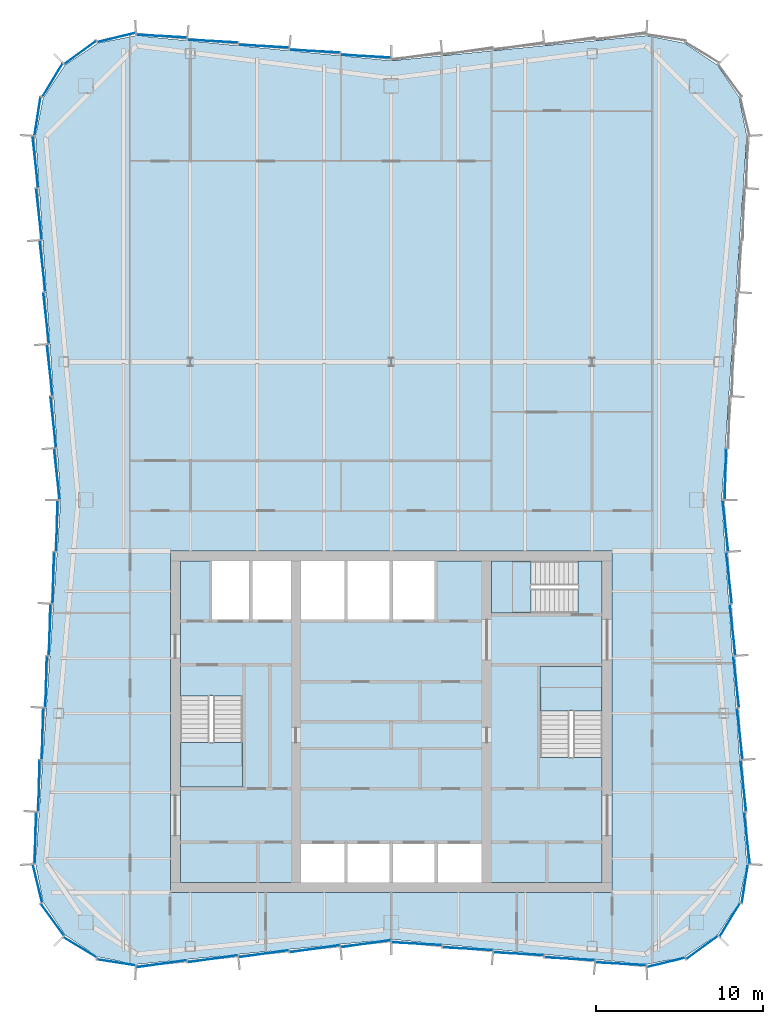
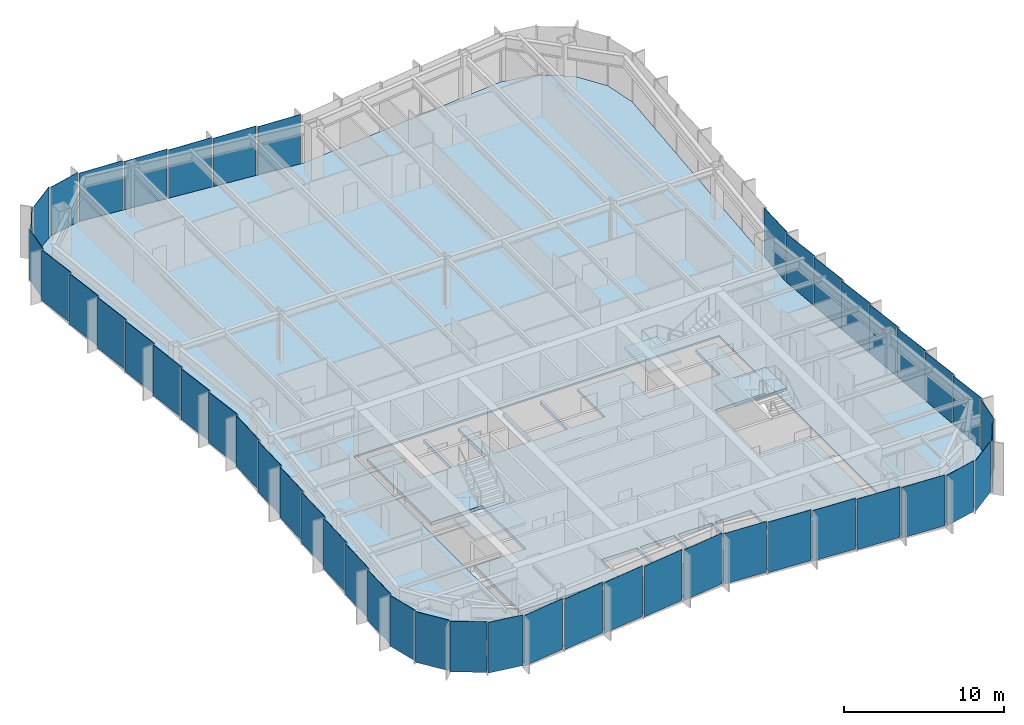
# One storey, part 8 of 13: 49 plates, 5 slabs, 10 elements without a shape of their own.
"""IFC4 building model written with IfcOpenShell, lengths in metres."""

from ifc_helpers import new_model, si_unit, direction, frame, origin, origin_2d, place, context, subcontext, project, spatial, polyline, rectangle, outline, extrude, material, layer, layer_set, type_object, element, aggregate, save


model = new_model("IFC4")

# Units and contexts
model_context = context("Model", 3, precision=1e-05, world=origin(), true_north=direction((0.0, 1.0)))
body_context = subcontext(model_context, "Body", "Model", "MODEL_VIEW")
ifc_project = project(units=[si_unit("LENGTHUNIT", "METRE"), si_unit("AREAUNIT", "SQUARE_METRE"), si_unit("VOLUMEUNIT", "CUBIC_METRE"), si_unit("PLANEANGLEUNIT", "RADIAN"), si_unit("MASSUNIT", "GRAM", prefix="KILO")], contexts=[model_context])

# Site, building, storey
site_placement = place(None, origin())
site = spatial("IfcSite", under=ifc_project, at=site_placement, CompositionType="ELEMENT")
building_placement = place(site_placement, origin())
building = spatial("IfcBuilding", under=site, at=building_placement, Name="Verdant Reach Tower", CompositionType="ELEMENT")
storey_placement = place(building_placement, frame((0.0, 0.0, 330.0)))
storey = spatial("IfcBuildingStorey", under=building, at=storey_placement, Name="L76", CompositionType="ELEMENT", Elevation=330.0)

# Stair, slab
ifc_material_1 = material(Name="Concrete C40/50", Category="concrete")
stair_type = type_object("IfcStairType", Name="CO-STAIR", PredefinedType="HALF_TURN_STAIR", material=ifc_material_1)
stair_1_placement = place(storey_placement, origin())
stair_1 = element("IfcStair", 1, at=stair_1_placement, inside=storey, type_object=stair_type, Name="L76 Exit stair 1", PredefinedType="HALF_TURN_STAIR")
ifc_layer_1 = layer(ifc_material_1, 0.199951171875)
ifc_layer_set_1 = layer_set([ifc_layer_1], Name="CO-STAIR-LANDING")
slab_type_1 = type_object("IfcSlabType", Name="CO-STAIR-LANDING", PredefinedType="LANDING", material=ifc_layer_set_1)
slab_1_placement = place(storey_placement, frame((0.0, 0.0, 1.800048828125)))
slab_1 = element("IfcSlab", 2, at=slab_1_placement, type_object=slab_type_1, Name="ST-1 landing 1", PredefinedType="LANDING", context=body_context, shape_type="SweptSolid", body=[
    extrude(outline(polyline([(-12.60009765625, 26.75), (-12.60009765625, 24.10009765625), (-8.89990234375, 24.10009765625), (-8.89990234375, 26.75), (-12.60009765625, 26.75)])), origin(), (0.0, 0.0, 1.0), 0.199951171875),
])
aggregate(stair_1, [slab_1])

stair_2_placement = place(storey_placement, origin())
stair_2 = element("IfcStair", 3, at=stair_2_placement, inside=storey, type_object=stair_type, Name="L76 Exit stair 2", PredefinedType="HALF_TURN_STAIR")
slab_2_placement = place(storey_placement, frame((0.0, 0.0, 1.800048828125)))
slab_2 = element("IfcSlab", 4, at=slab_2_placement, type_object=slab_type_1, Name="ST-2 landing 1", PredefinedType="LANDING", context=body_context, shape_type="SweptSolid", body=[
    extrude(outline(polyline([(12.60009765625, 28.64990234375), (12.60009765625, 31.300048828125), (8.89990234375, 31.300048828125), (8.89990234375, 28.64990234375), (12.60009765625, 28.64990234375)])), origin(), (0.0, 0.0, 1.0), 0.199951171875),
])
aggregate(stair_2, [slab_2])

stair_3_placement = place(storey_placement, origin())
stair_3 = element("IfcStair", 5, at=stair_3_placement, inside=storey, type_object=stair_type, Name="L76 Exit stair 3", PredefinedType="HALF_TURN_STAIR")
slab_3_placement = place(storey_placement, frame((0.0, 0.0, 1.800048828125)))
slab_3 = element("IfcSlab", 6, at=slab_3_placement, type_object=slab_type_1, Name="ST-3 landing 1", PredefinedType="LANDING", context=body_context, shape_type="SweptSolid", body=[
    extrude(outline(polyline([(8.35009765625, 37.60009765625), (6.0, 37.60009765625), (6.0, 34.5), (8.35009765625, 34.5), (8.35009765625, 37.60009765625)])), origin(), (0.0, 0.0, 1.0), 0.199951171875),
])
aggregate(stair_3, [slab_3])

# Curtain wall, plate
ifc_material_2 = material(Name="Anodised aluminium", Category="aluminium")
curtain_wall_type = type_object("IfcCurtainWallType", Name="EN-CW SYSTEM Z5", PredefinedType="NOTDEFINED", material=ifc_material_2)
curtain_wall_1_placement = place(storey_placement, origin())
curtain_wall_1 = element("IfcCurtainWall", 7, at=curtain_wall_1_placement, inside=storey, type_object=curtain_wall_type, Name="Curtain wall south-east corner, L76", PredefinedType="NOTDEFINED")
ifc_material_3 = material(Name="Tinted glass with champagne spandrel", Category="glass")
ifc_layer_2 = layer(ifc_material_3, 0.031982421875)
ifc_layer_set_2 = layer_set([ifc_layer_2], Name="EN-PANEL CHAMPAGNE")
plate_type_1 = type_object("IfcPlateType", Name="EN-PANEL CHAMPAGNE", PredefinedType="CURTAIN_PANEL", material=ifc_layer_set_2)
plate_1_placement = place(storey_placement, frame((16.4228515625, 13.61767578125, -0.219970703125), z_axis=(0.0, 0.0, 1.0), x_axis=(0.971661765526, 0.236375577028, 0.0)))
plate_1 = element("IfcPlate", 8, at=plate_1_placement, type_object=plate_type_1, Name="Glass panel south-east corner 1.1, L76", PredefinedType="CURTAIN_PANEL", context=body_context, shape_type="SweptSolid", body=[
    extrude(rectangle(XDim=2.314453125, YDim=0.031982421875, at=origin_2d()), origin(), (0.0, 0.0, 1.0), 3.8701171875),
])

# Curtain wall, plates
curtain_wall_2_placement = place(storey_placement, origin())
curtain_wall_2 = element("IfcCurtainWall", 9, at=curtain_wall_2_placement, inside=storey, type_object=curtain_wall_type, Name="Curtain wall east, L76", PredefinedType="NOTDEFINED")
plate_2_placement = place(storey_placement, frame((20.18603515625, 36.59716796875, -0.219970703125), z_axis=(0.0, 0.0, 1.0), x_axis=(-0.110518162674, 0.993874104562, 0.0)))
plate_2 = element("IfcPlate", 10, at=plate_2_placement, type_object=plate_type_1, Name="Glass panel east face part 1 6.1, L76", PredefinedType="CURTAIN_PANEL", context=body_context, shape_type="SweptSolid", body=[
    extrude(rectangle(XDim=3.048583984375, YDim=0.031982421875, at=origin_2d()), origin(), (0.0, 0.0, 1.0), 3.8701171875),
])
plate_3_placement = place(storey_placement, frame((19.971923828125, 39.700439453125, -0.219970703125), z_axis=(0.0, 0.0, 1.0), x_axis=(-0.110605344993, 0.993864406073, 0.0)))
plate_3 = element("IfcPlate", 11, at=plate_3_placement, type_object=plate_type_1, Name="Glass panel east face part 1 7.1, L76", PredefinedType="CURTAIN_PANEL", context=body_context, shape_type="SweptSolid", body=[
    extrude(rectangle(XDim=3.04052734375, YDim=0.031982421875, at=origin_2d()), origin(), (0.0, 0.0, 1.0), 3.8701171875),
])
plate_4_placement = place(storey_placement, frame((19.971923828125, 42.799560546875, -0.219970703125), z_axis=(0.0, 0.0, 1.0), x_axis=(0.027053006415, 0.999634000444, 0.0)))
plate_4 = element("IfcPlate", 12, at=plate_4_placement, type_object=plate_type_1, Name="Glass panel east face part 2 1.1, L76", PredefinedType="CURTAIN_PANEL", context=body_context, shape_type="SweptSolid", body=[
    extrude(rectangle(XDim=3.04052734375, YDim=0.031982421875, at=origin_2d()), origin(), (0.0, 0.0, 1.0), 3.8701171875),
])

# Curtain wall, plate
curtain_wall_3_placement = place(storey_placement, origin())
curtain_wall_3 = element("IfcCurtainWall", 13, at=curtain_wall_3_placement, inside=storey, type_object=curtain_wall_type, Name="Curtain wall north, L76", PredefinedType="NOTDEFINED")
plate_5_placement = place(storey_placement, frame((-13.72216796875, 68.964599609375, -0.219970703125), z_axis=(0.0, 0.0, 1.0), x_axis=(-0.998446157248, 0.055724959185, 0.0)))
plate_5 = element("IfcPlate", 14, at=plate_5_placement, type_object=plate_type_1, Name="Glass panel north face part 2 5.1, L76", PredefinedType="CURTAIN_PANEL", context=body_context, shape_type="SweptSolid", body=[
    extrude(rectangle(XDim=3.015625, YDim=0.031982421875, at=origin_2d()), origin(), (0.0, 0.0, 1.0), 3.8701171875),
])

curtain_wall_4_placement = place(storey_placement, origin())
curtain_wall_4 = element("IfcCurtainWall", 15, at=curtain_wall_4_placement, inside=storey, type_object=curtain_wall_type, Name="Curtain wall north-west corner, L76", PredefinedType="NOTDEFINED")
plate_6_placement = place(storey_placement, frame((-21.132080078125, 64.173828125, -0.219970703125), z_axis=(0.0, 0.0, 1.0), x_axis=(-0.154337499461, -0.988018186199, 0.0)))
plate_6 = element("IfcPlate", 16, at=plate_6_placement, type_object=plate_type_1, Name="Glass panel north-west corner 4.1, L76", PredefinedType="CURTAIN_PANEL", context=body_context, shape_type="SweptSolid", body=[
    extrude(rectangle(XDim=2.312744140625, YDim=0.031982421875, at=origin_2d()), origin(), (0.0, 0.0, 1.0), 3.8701171875),
])

# Curtain wall, plates
curtain_wall_5_placement = place(storey_placement, origin())
curtain_wall_5 = element("IfcCurtainWall", 17, at=curtain_wall_5_placement, inside=storey, type_object=curtain_wall_type, Name="Curtain wall west, L76", PredefinedType="NOTDEFINED")
plate_7_placement = place(storey_placement, frame((-21.043212890625, 58.331298828125, -0.219970703125), z_axis=(0.0, 0.0, 1.0), x_axis=(0.110518162674, -0.993874104562, 0.0)))
plate_7 = element("IfcPlate", 18, at=plate_7_placement, type_object=plate_type_1, Name="Glass panel west face part 1 2.1, L76", PredefinedType="CURTAIN_PANEL", context=body_context, shape_type="SweptSolid", body=[
    extrude(rectangle(XDim=3.048583984375, YDim=0.031982421875, at=origin_2d()), origin(), (0.0, 0.0, 1.0), 3.8701171875),
])
plate_8_placement = place(storey_placement, frame((-20.8291015625, 55.22412109375, -0.219970703125), z_axis=(0.0, 0.0, 1.0), x_axis=(0.110518162674, -0.993874104562, 0.0)))
plate_8 = element("IfcPlate", 19, at=plate_8_placement, type_object=plate_type_1, Name="Glass panel west face part 1 3.1, L76", PredefinedType="CURTAIN_PANEL", context=body_context, shape_type="SweptSolid", body=[
    extrude(rectangle(XDim=3.048583984375, YDim=0.031982421875, at=origin_2d()), origin(), (0.0, 0.0, 1.0), 3.8701171875),
])
plate_9_placement = place(storey_placement, frame((-20.61474609375, 52.1171875, -0.219970703125), z_axis=(0.0, 0.0, 1.0), x_axis=(0.110518162674, -0.993874104562, 0.0)))
plate_9 = element("IfcPlate", 20, at=plate_9_placement, type_object=plate_type_1, Name="Glass panel west face part 1 4.1, L76", PredefinedType="CURTAIN_PANEL", context=body_context, shape_type="SweptSolid", body=[
    extrude(rectangle(XDim=3.048583984375, YDim=0.031982421875, at=origin_2d()), origin(), (0.0, 0.0, 1.0), 3.8701171875),
])
plate_10_placement = place(storey_placement, frame((-20.61474609375, 30.3828125, -0.219970703125), z_axis=(0.0, 0.0, 1.0), x_axis=(-0.026965318308, -0.999636369691, 0.0)))
plate_10 = element("IfcPlate", 21, at=plate_10_placement, type_object=plate_type_1, Name="Glass panel west face part 2 4.1, L76", PredefinedType="CURTAIN_PANEL", context=body_context, shape_type="SweptSolid", body=[
    extrude(rectangle(XDim=3.048583984375, YDim=0.031982421875, at=origin_2d()), origin(), (0.0, 0.0, 1.0), 3.8701171875),
])
plate_11_placement = place(storey_placement, frame((-20.8291015625, 27.27587890625, -0.219970703125), z_axis=(0.0, 0.0, 1.0), x_axis=(-0.026965318308, -0.999636369691, 0.0)))
plate_11 = element("IfcPlate", 22, at=plate_11_placement, type_object=plate_type_1, Name="Glass panel west face part 2 5.1, L76", PredefinedType="CURTAIN_PANEL", context=body_context, shape_type="SweptSolid", body=[
    extrude(rectangle(XDim=3.048583984375, YDim=0.031982421875, at=origin_2d()), origin(), (0.0, 0.0, 1.0), 3.8701171875),
])

curtain_wall_6_placement = place(storey_placement, origin())
curtain_wall_6 = element("IfcCurtainWall", 23, at=curtain_wall_6_placement, inside=storey, type_object=curtain_wall_type, Name="Curtain wall south-west corner, L76", PredefinedType="NOTDEFINED")
plate_12_placement = place(storey_placement, frame((-20.23681640625, 16.16796875, -0.219970703125), z_axis=(0.0, 0.0, 1.0), x_axis=(0.58992672698, -0.807456783236, 0.0)))
plate_12 = element("IfcPlate", 24, at=plate_12_placement, type_object=plate_type_1, Name="Glass panel south-west corner 2.1, L76", PredefinedType="CURTAIN_PANEL", context=body_context, shape_type="SweptSolid", body=[
    extrude(rectangle(XDim=2.320068359375, YDim=0.031982421875, at=origin_2d()), origin(), (0.0, 0.0, 1.0), 3.8701171875),
])
plate_13_placement = place(storey_placement, frame((-18.58203125, 14.51318359375, -0.219970703125), z_axis=(0.0, 0.0, 1.0), x_axis=(0.853988714885, -0.520291528711, 0.0)))
plate_13 = element("IfcPlate", 25, at=plate_13_placement, type_object=plate_type_1, Name="Glass panel south-west corner 3.1, L76", PredefinedType="CURTAIN_PANEL", context=body_context, shape_type="SweptSolid", body=[
    extrude(rectangle(XDim=2.320068359375, YDim=0.031982421875, at=origin_2d()), origin(), (0.0, 0.0, 1.0), 3.8701171875),
])
plate_14_placement = place(storey_placement, frame((-16.4228515625, 13.61767578125, -0.219970703125), z_axis=(0.0, 0.0, 1.0), x_axis=(0.988033409454, -0.154240013621, 0.0)))
plate_14 = element("IfcPlate", 26, at=plate_14_placement, type_object=plate_type_1, Name="Glass panel south-west corner 4.1, L76", PredefinedType="CURTAIN_PANEL", context=body_context, shape_type="SweptSolid", body=[
    extrude(rectangle(XDim=2.314453125, YDim=0.031982421875, at=origin_2d()), origin(), (0.0, 0.0, 1.0), 3.8701171875),
])

curtain_wall_7_placement = place(storey_placement, origin())
curtain_wall_7 = element("IfcCurtainWall", 27, at=curtain_wall_7_placement, inside=storey, type_object=curtain_wall_type, Name="Curtain wall south, L76", PredefinedType="NOTDEFINED")
plate_15_placement = place(storey_placement, frame((-13.72216796875, 13.535400390625, -0.219970703125), z_axis=(0.0, 0.0, 1.0), x_axis=(0.990281521639, 0.139077345032, 0.0)))
plate_15 = element("IfcPlate", 28, at=plate_15_placement, type_object=plate_type_1, Name="Glass panel south face part 1 1.1, L76", PredefinedType="CURTAIN_PANEL", context=body_context, shape_type="SweptSolid", body=[
    extrude(rectangle(XDim=3.015625, YDim=0.031982421875, at=origin_2d()), origin(), (0.0, 0.0, 1.0), 3.8701171875),
])
plate_16_placement = place(storey_placement, frame((1.519287109375, 14.7353515625, -0.219970703125), z_axis=(0.0, 0.0, 1.0), x_axis=(0.998413420442, -0.05630845301, 0.0)))
plate_16 = element("IfcPlate", 29, at=plate_16_placement, type_object=plate_type_1, Name="Glass panel south face part 2 1.1, L76", PredefinedType="CURTAIN_PANEL", context=body_context, shape_type="SweptSolid", body=[
    extrude(rectangle(XDim=2.987548828125, YDim=0.031982421875, at=origin_2d()), origin(), (0.0, 0.0, 1.0), 3.8701171875),
])
plate_17_placement = place(storey_placement, frame((4.563720703125, 14.435546875, -0.219970703125), z_axis=(0.0, 0.0, 1.0), x_axis=(0.998423588956, -0.056127863106, 0.0)))
plate_17 = element("IfcPlate", 30, at=plate_17_placement, type_object=plate_type_1, Name="Glass panel south face part 2 2.1, L76", PredefinedType="CURTAIN_PANEL", context=body_context, shape_type="SweptSolid", body=[
    extrude(rectangle(XDim=2.998779296875, YDim=0.031982421875, at=origin_2d()), origin(), (0.0, 0.0, 1.0), 3.8701171875),
])
plate_18_placement = place(storey_placement, frame((7.61376953125, 14.135498046875, -0.219970703125), z_axis=(0.0, 0.0, 1.0), x_axis=(0.998423588956, -0.056127863106, 0.0)))
plate_18 = element("IfcPlate", 31, at=plate_18_placement, type_object=plate_type_1, Name="Glass panel south face part 2 3.1, L76", PredefinedType="CURTAIN_PANEL", context=body_context, shape_type="SweptSolid", body=[
    extrude(rectangle(XDim=2.998779296875, YDim=0.031982421875, at=origin_2d()), origin(), (0.0, 0.0, 1.0), 3.8701171875),
])

# Plate
ifc_material_4 = material(Name="Tinted glass with copper spandrel", Category="glass")
ifc_layer_3 = layer(ifc_material_4, 0.031982421875)
ifc_layer_set_3 = layer_set([ifc_layer_3], Name="EN-PANEL COPPER")
plate_type_2 = type_object("IfcPlateType", Name="EN-PANEL COPPER", PredefinedType="CURTAIN_PANEL", material=ifc_layer_set_3)
plate_19_placement = place(storey_placement, frame((18.58203125, 14.51318359375, -0.219970703125), z_axis=(0.0, 0.0, 1.0), x_axis=(0.807456783236, 0.58992672698, 0.0)))
plate_19 = element("IfcPlate", 32, at=plate_19_placement, type_object=plate_type_2, Name="Glass panel south-east corner 2.1, L76", PredefinedType="CURTAIN_PANEL", context=body_context, shape_type="SweptSolid", body=[
    extrude(rectangle(XDim=2.320068359375, YDim=0.031982421875, at=origin_2d()), origin(), (0.0, 0.0, 1.0), 3.8701171875),
])

plate_20_placement = place(storey_placement, frame((20.23681640625, 16.16796875, -0.219970703125), z_axis=(0.0, 0.0, 1.0), x_axis=(0.520291528711, 0.853988714885, 0.0)))
plate_20 = element("IfcPlate", 33, at=plate_20_placement, type_object=plate_type_2, Name="Glass panel south-east corner 3.1, L76", PredefinedType="CURTAIN_PANEL", context=body_context, shape_type="SweptSolid", body=[
    extrude(rectangle(XDim=2.320068359375, YDim=0.031982421875, at=origin_2d()), origin(), (0.0, 0.0, 1.0), 3.8701171875),
])

plate_21_placement = place(storey_placement, frame((21.132080078125, 18.326171875, -0.219970703125), z_axis=(0.0, 0.0, 1.0), x_axis=(0.154337499461, 0.988018186199, 0.0)))
plate_21 = element("IfcPlate", 34, at=plate_21_placement, type_object=plate_type_2, Name="Glass panel south-east corner 4.1, L76", PredefinedType="CURTAIN_PANEL", context=body_context, shape_type="SweptSolid", body=[
    extrude(rectangle(XDim=2.312744140625, YDim=0.031982421875, at=origin_2d()), origin(), (0.0, 0.0, 1.0), 3.8701171875),
])

aggregate(curtain_wall_1, [plate_1, plate_19, plate_20, plate_21])

plate_22_placement = place(storey_placement, frame((21.257568359375, 21.053955078125, -0.219970703125), z_axis=(0.0, 0.0, 1.0), x_axis=(-0.110197580247, 0.993909700782, 0.0)))
plate_22 = element("IfcPlate", 35, at=plate_22_placement, type_object=plate_type_2, Name="Glass panel east face part 1 1.1, L76", PredefinedType="CURTAIN_PANEL", context=body_context, shape_type="SweptSolid", body=[
    extrude(rectangle(XDim=3.063720703125, YDim=0.031982421875, at=origin_2d()), origin(), (0.0, 0.0, 1.0), 3.8701171875),
])

plate_23_placement = place(storey_placement, frame((21.043212890625, 24.168701171875, -0.219970703125), z_axis=(0.0, 0.0, 1.0), x_axis=(-0.110518162674, 0.993874104562, 0.0)))
plate_23 = element("IfcPlate", 36, at=plate_23_placement, type_object=plate_type_2, Name="Glass panel east face part 1 2.1, L76", PredefinedType="CURTAIN_PANEL", context=body_context, shape_type="SweptSolid", body=[
    extrude(rectangle(XDim=3.048583984375, YDim=0.031982421875, at=origin_2d()), origin(), (0.0, 0.0, 1.0), 3.8701171875),
])

plate_24_placement = place(storey_placement, frame((-1.519287109375, 67.7646484375, -0.219970703125), z_axis=(0.0, 0.0, 1.0), x_axis=(-0.998413420442, 0.05630845301, 0.0)))
plate_24 = element("IfcPlate", 37, at=plate_24_placement, type_object=plate_type_2, Name="Glass panel north face part 2 1.1, L76", PredefinedType="CURTAIN_PANEL", context=body_context, shape_type="SweptSolid", body=[
    extrude(rectangle(XDim=2.987548828125, YDim=0.031982421875, at=origin_2d()), origin(), (0.0, 0.0, 1.0), 3.8701171875),
])

plate_25_placement = place(storey_placement, frame((-4.563720703125, 68.064453125, -0.219970703125), z_axis=(0.0, 0.0, 1.0), x_axis=(-0.998423588956, 0.056127863106, 0.0)))
plate_25 = element("IfcPlate", 38, at=plate_25_placement, type_object=plate_type_2, Name="Glass panel north face part 2 2.1, L76", PredefinedType="CURTAIN_PANEL", context=body_context, shape_type="SweptSolid", body=[
    extrude(rectangle(XDim=2.998779296875, YDim=0.031982421875, at=origin_2d()), origin(), (0.0, 0.0, 1.0), 3.8701171875),
])

plate_26_placement = place(storey_placement, frame((-20.400390625, 49.010009765625, -0.219970703125), z_axis=(0.0, 0.0, 1.0), x_axis=(0.110518162674, -0.993874104562, 0.0)))
plate_26 = element("IfcPlate", 39, at=plate_26_placement, type_object=plate_type_2, Name="Glass panel west face part 1 5.1, L76", PredefinedType="CURTAIN_PANEL", context=body_context, shape_type="SweptSolid", body=[
    extrude(rectangle(XDim=3.048583984375, YDim=0.031982421875, at=origin_2d()), origin(), (0.0, 0.0, 1.0), 3.8701171875),
])

plate_27_placement = place(storey_placement, frame((-20.18603515625, 45.90283203125, -0.219970703125), z_axis=(0.0, 0.0, 1.0), x_axis=(0.110518162674, -0.993874104562, 0.0)))
plate_27 = element("IfcPlate", 40, at=plate_27_placement, type_object=plate_type_2, Name="Glass panel west face part 1 6.1, L76", PredefinedType="CURTAIN_PANEL", context=body_context, shape_type="SweptSolid", body=[
    extrude(rectangle(XDim=3.048583984375, YDim=0.031982421875, at=origin_2d()), origin(), (0.0, 0.0, 1.0), 3.8701171875),
])

plate_28_placement = place(storey_placement, frame((-21.043212890625, 24.168701171875, -0.219970703125), z_axis=(0.0, 0.0, 1.0), x_axis=(-0.026965318308, -0.999636369691, 0.0)))
plate_28 = element("IfcPlate", 41, at=plate_28_placement, type_object=plate_type_2, Name="Glass panel west face part 2 6.1, L76", PredefinedType="CURTAIN_PANEL", context=body_context, shape_type="SweptSolid", body=[
    extrude(rectangle(XDim=3.048583984375, YDim=0.031982421875, at=origin_2d()), origin(), (0.0, 0.0, 1.0), 3.8701171875),
])

plate_29_placement = place(storey_placement, frame((-21.257568359375, 21.053955078125, -0.219970703125), z_axis=(0.0, 0.0, 1.0), x_axis=(-0.026642881595, -0.999645015423, 0.0)))
plate_29 = element("IfcPlate", 42, at=plate_29_placement, type_object=plate_type_2, Name="Glass panel west face part 2 7.1, L76", PredefinedType="CURTAIN_PANEL", context=body_context, shape_type="SweptSolid", body=[
    extrude(rectangle(XDim=3.063720703125, YDim=0.031982421875, at=origin_2d()), origin(), (0.0, 0.0, 1.0), 3.8701171875),
])

plate_30_placement = place(storey_placement, frame((-10.663818359375, 13.83544921875, -0.219970703125), z_axis=(0.0, 0.0, 1.0), x_axis=(0.990225318365, 0.139476947446, 0.0)))
plate_30 = element("IfcPlate", 43, at=plate_30_placement, type_object=plate_type_2, Name="Glass panel south face part 1 2.1, L76", PredefinedType="CURTAIN_PANEL", context=body_context, shape_type="SweptSolid", body=[
    extrude(rectangle(XDim=2.998779296875, YDim=0.031982421875, at=origin_2d()), origin(), (0.0, 0.0, 1.0), 3.8701171875),
])

plate_31_placement = place(storey_placement, frame((-7.61376953125, 14.135498046875, -0.219970703125), z_axis=(0.0, 0.0, 1.0), x_axis=(0.990225318365, 0.139476947446, 0.0)))
plate_31 = element("IfcPlate", 44, at=plate_31_placement, type_object=plate_type_2, Name="Glass panel south face part 1 3.1, L76", PredefinedType="CURTAIN_PANEL", context=body_context, shape_type="SweptSolid", body=[
    extrude(rectangle(XDim=2.998779296875, YDim=0.031982421875, at=origin_2d()), origin(), (0.0, 0.0, 1.0), 3.8701171875),
])

plate_32_placement = place(storey_placement, frame((-4.563720703125, 14.435546875, -0.219970703125), z_axis=(0.0, 0.0, 1.0), x_axis=(0.990225318365, 0.139476947446, 0.0)))
plate_32 = element("IfcPlate", 45, at=plate_32_placement, type_object=plate_type_2, Name="Glass panel south face part 1 4.1, L76", PredefinedType="CURTAIN_PANEL", context=body_context, shape_type="SweptSolid", body=[
    extrude(rectangle(XDim=2.998779296875, YDim=0.031982421875, at=origin_2d()), origin(), (0.0, 0.0, 1.0), 3.8701171875),
])

plate_33_placement = place(storey_placement, frame((10.663818359375, 13.83544921875, -0.219970703125), z_axis=(0.0, 0.0, 1.0), x_axis=(0.998423588956, -0.056127863106, 0.0)))
plate_33 = element("IfcPlate", 46, at=plate_33_placement, type_object=plate_type_2, Name="Glass panel south face part 2 4.1, L76", PredefinedType="CURTAIN_PANEL", context=body_context, shape_type="SweptSolid", body=[
    extrude(rectangle(XDim=2.998779296875, YDim=0.031982421875, at=origin_2d()), origin(), (0.0, 0.0, 1.0), 3.8701171875),
])

plate_34_placement = place(storey_placement, frame((13.72216796875, 13.535400390625, -0.219970703125), z_axis=(0.0, 0.0, 1.0), x_axis=(0.998446157248, -0.055724959185, 0.0)))
plate_34 = element("IfcPlate", 47, at=plate_34_placement, type_object=plate_type_2, Name="Glass panel south face part 2 5.1, L76", PredefinedType="CURTAIN_PANEL", context=body_context, shape_type="SweptSolid", body=[
    extrude(rectangle(XDim=3.015625, YDim=0.031982421875, at=origin_2d()), origin(), (0.0, 0.0, 1.0), 3.8701171875),
])

ifc_material_5 = material(Name="Tinted glass with dark bronze spandrel", Category="glass")
ifc_layer_4 = layer(ifc_material_5, 0.031982421875)
ifc_layer_set_4 = layer_set([ifc_layer_4], Name="EN-PANEL DARK")
plate_type_3 = type_object("IfcPlateType", Name="EN-PANEL DARK", PredefinedType="CURTAIN_PANEL", material=ifc_layer_set_4)
plate_35_placement = place(storey_placement, frame((20.8291015625, 27.27587890625, -0.219970703125), z_axis=(0.0, 0.0, 1.0), x_axis=(-0.110518162674, 0.993874104562, 0.0)))
plate_35 = element("IfcPlate", 48, at=plate_35_placement, type_object=plate_type_3, Name="Glass panel east face part 1 3.1, L76", PredefinedType="CURTAIN_PANEL", context=body_context, shape_type="SweptSolid", body=[
    extrude(rectangle(XDim=3.048583984375, YDim=0.031982421875, at=origin_2d()), origin(), (0.0, 0.0, 1.0), 3.8701171875),
])

plate_36_placement = place(storey_placement, frame((20.61474609375, 30.3828125, -0.219970703125), z_axis=(0.0, 0.0, 1.0), x_axis=(-0.110518162674, 0.993874104562, 0.0)))
plate_36 = element("IfcPlate", 49, at=plate_36_placement, type_object=plate_type_3, Name="Glass panel east face part 1 4.1, L76", PredefinedType="CURTAIN_PANEL", context=body_context, shape_type="SweptSolid", body=[
    extrude(rectangle(XDim=3.048583984375, YDim=0.031982421875, at=origin_2d()), origin(), (0.0, 0.0, 1.0), 3.8701171875),
])

plate_37_placement = place(storey_placement, frame((20.400390625, 33.489990234375, -0.219970703125), z_axis=(0.0, 0.0, 1.0), x_axis=(-0.110518162674, 0.993874104562, 0.0)))
plate_37 = element("IfcPlate", 50, at=plate_37_placement, type_object=plate_type_3, Name="Glass panel east face part 1 5.1, L76", PredefinedType="CURTAIN_PANEL", context=body_context, shape_type="SweptSolid", body=[
    extrude(rectangle(XDim=3.048583984375, YDim=0.031982421875, at=origin_2d()), origin(), (0.0, 0.0, 1.0), 3.8701171875),
])

aggregate(curtain_wall_2, [plate_22, plate_23, plate_35, plate_36, plate_37, plate_2, plate_3, plate_4])

plate_38_placement = place(storey_placement, frame((-7.61376953125, 68.364501953125, -0.219970703125), z_axis=(0.0, 0.0, 1.0), x_axis=(-0.998423588956, 0.056127863106, 0.0)))
plate_38 = element("IfcPlate", 51, at=plate_38_placement, type_object=plate_type_3, Name="Glass panel north face part 2 3.1, L76", PredefinedType="CURTAIN_PANEL", context=body_context, shape_type="SweptSolid", body=[
    extrude(rectangle(XDim=2.998779296875, YDim=0.031982421875, at=origin_2d()), origin(), (0.0, 0.0, 1.0), 3.8701171875),
])

plate_39_placement = place(storey_placement, frame((-10.663818359375, 68.66455078125, -0.219970703125), z_axis=(0.0, 0.0, 1.0), x_axis=(-0.998423588956, 0.056127863106, 0.0)))
plate_39 = element("IfcPlate", 52, at=plate_39_placement, type_object=plate_type_3, Name="Glass panel north face part 2 4.1, L76", PredefinedType="CURTAIN_PANEL", context=body_context, shape_type="SweptSolid", body=[
    extrude(rectangle(XDim=2.998779296875, YDim=0.031982421875, at=origin_2d()), origin(), (0.0, 0.0, 1.0), 3.8701171875),
])

aggregate(curtain_wall_3, [plate_24, plate_25, plate_38, plate_39, plate_5])

plate_40_placement = place(storey_placement, frame((-16.4228515625, 68.88232421875, -0.219970703125), z_axis=(0.0, 0.0, 1.0), x_axis=(-0.971661765526, -0.236375577028, 0.0)))
plate_40 = element("IfcPlate", 53, at=plate_40_placement, type_object=plate_type_3, Name="Glass panel north-west corner 1.1, L76", PredefinedType="CURTAIN_PANEL", context=body_context, shape_type="SweptSolid", body=[
    extrude(rectangle(XDim=2.314453125, YDim=0.031982421875, at=origin_2d()), origin(), (0.0, 0.0, 1.0), 3.8701171875),
])

plate_41_placement = place(storey_placement, frame((-18.58203125, 67.98681640625, -0.219970703125), z_axis=(0.0, 0.0, 1.0), x_axis=(-0.807456783236, -0.58992672698, 0.0)))
plate_41 = element("IfcPlate", 54, at=plate_41_placement, type_object=plate_type_3, Name="Glass panel north-west corner 2.1, L76", PredefinedType="CURTAIN_PANEL", context=body_context, shape_type="SweptSolid", body=[
    extrude(rectangle(XDim=2.320068359375, YDim=0.031982421875, at=origin_2d()), origin(), (0.0, 0.0, 1.0), 3.8701171875),
])

plate_42_placement = place(storey_placement, frame((-20.23681640625, 66.33203125, -0.219970703125), z_axis=(0.0, 0.0, 1.0), x_axis=(-0.520291528711, -0.853988714885, 0.0)))
plate_42 = element("IfcPlate", 55, at=plate_42_placement, type_object=plate_type_3, Name="Glass panel north-west corner 3.1, L76", PredefinedType="CURTAIN_PANEL", context=body_context, shape_type="SweptSolid", body=[
    extrude(rectangle(XDim=2.320068359375, YDim=0.031982421875, at=origin_2d()), origin(), (0.0, 0.0, 1.0), 3.8701171875),
])

aggregate(curtain_wall_4, [plate_40, plate_41, plate_42, plate_6])

plate_43_placement = place(storey_placement, frame((-21.257568359375, 61.446044921875, -0.219970703125), z_axis=(0.0, 0.0, 1.0), x_axis=(0.110197580247, -0.993909700782, 0.0)))
plate_43 = element("IfcPlate", 56, at=plate_43_placement, type_object=plate_type_3, Name="Glass panel west face part 1 1.1, L76", PredefinedType="CURTAIN_PANEL", context=body_context, shape_type="SweptSolid", body=[
    extrude(rectangle(XDim=3.063720703125, YDim=0.031982421875, at=origin_2d()), origin(), (0.0, 0.0, 1.0), 3.8701171875),
])

plate_44_placement = place(storey_placement, frame((-19.971923828125, 42.799560546875, -0.219970703125), z_axis=(0.0, 0.0, 1.0), x_axis=(0.110605344993, -0.993864406073, 0.0)))
plate_44 = element("IfcPlate", 57, at=plate_44_placement, type_object=plate_type_3, Name="Glass panel west face part 1 7.1, L76", PredefinedType="CURTAIN_PANEL", context=body_context, shape_type="SweptSolid", body=[
    extrude(rectangle(XDim=3.04052734375, YDim=0.031982421875, at=origin_2d()), origin(), (0.0, 0.0, 1.0), 3.8701171875),
])

plate_45_placement = place(storey_placement, frame((-19.971923828125, 39.700439453125, -0.219970703125), z_axis=(0.0, 0.0, 1.0), x_axis=(-0.027053006415, -0.999634000444, 0.0)))
plate_45 = element("IfcPlate", 58, at=plate_45_placement, type_object=plate_type_3, Name="Glass panel west face part 2 1.1, L76", PredefinedType="CURTAIN_PANEL", context=body_context, shape_type="SweptSolid", body=[
    extrude(rectangle(XDim=3.04052734375, YDim=0.031982421875, at=origin_2d()), origin(), (0.0, 0.0, 1.0), 3.8701171875),
])

plate_46_placement = place(storey_placement, frame((-20.18603515625, 36.59716796875, -0.219970703125), z_axis=(0.0, 0.0, 1.0), x_axis=(-0.026965318308, -0.999636369691, 0.0)))
plate_46 = element("IfcPlate", 59, at=plate_46_placement, type_object=plate_type_3, Name="Glass panel west face part 2 2.1, L76", PredefinedType="CURTAIN_PANEL", context=body_context, shape_type="SweptSolid", body=[
    extrude(rectangle(XDim=3.048583984375, YDim=0.031982421875, at=origin_2d()), origin(), (0.0, 0.0, 1.0), 3.8701171875),
])

plate_47_placement = place(storey_placement, frame((-20.400390625, 33.489990234375, -0.219970703125), z_axis=(0.0, 0.0, 1.0), x_axis=(-0.026965318308, -0.999636369691, 0.0)))
plate_47 = element("IfcPlate", 60, at=plate_47_placement, type_object=plate_type_3, Name="Glass panel west face part 2 3.1, L76", PredefinedType="CURTAIN_PANEL", context=body_context, shape_type="SweptSolid", body=[
    extrude(rectangle(XDim=3.048583984375, YDim=0.031982421875, at=origin_2d()), origin(), (0.0, 0.0, 1.0), 3.8701171875),
])

aggregate(curtain_wall_5, [plate_43, plate_7, plate_8, plate_9, plate_26, plate_27, plate_44, plate_45, plate_46, plate_47, plate_10, plate_11, plate_28, plate_29])

plate_48_placement = place(storey_placement, frame((-21.132080078125, 18.326171875, -0.219970703125), z_axis=(0.0, 0.0, 1.0), x_axis=(0.236471447122, -0.971638438256, 0.0)))
plate_48 = element("IfcPlate", 61, at=plate_48_placement, type_object=plate_type_3, Name="Glass panel south-west corner 1.1, L76", PredefinedType="CURTAIN_PANEL", context=body_context, shape_type="SweptSolid", body=[
    extrude(rectangle(XDim=2.312744140625, YDim=0.031982421875, at=origin_2d()), origin(), (0.0, 0.0, 1.0), 3.8701171875),
])

aggregate(curtain_wall_6, [plate_48, plate_12, plate_13, plate_14])

plate_49_placement = place(storey_placement, frame((-1.519287109375, 14.7353515625, -0.219970703125), z_axis=(0.0, 0.0, 1.0), x_axis=(0.990200074141, 0.139656053116, 0.0)))
plate_49 = element("IfcPlate", 62, at=plate_49_placement, type_object=plate_type_3, Name="Glass panel south face part 1 5.1, L76", PredefinedType="CURTAIN_PANEL", context=body_context, shape_type="SweptSolid", body=[
    extrude(rectangle(XDim=2.987548828125, YDim=0.031982421875, at=origin_2d()), origin(), (0.0, 0.0, 1.0), 3.8701171875),
])

aggregate(curtain_wall_7, [plate_15, plate_30, plate_31, plate_32, plate_49, plate_16, plate_17, plate_18, plate_33, plate_34])

# Slabs
ifc_material_6 = material(Name="Concrete C35/45", Category="concrete")
ifc_layer_5 = layer(ifc_material_6, 0.1298828125)
ifc_layer_set_5 = layer_set([ifc_layer_5], Name="ST-SLAB-130")
slab_type_2 = type_object("IfcSlabType", Name="ST-SLAB-130", PredefinedType="FLOOR", material=ifc_layer_set_5)
slab_4_placement = place(storey_placement, frame((0.0, 0.0, -0.1298828125)))
element("IfcSlab", 63, at=slab_4_placement, inside=storey, type_object=slab_type_2, Name="Floor slab L76", PredefinedType="FLOOR", context=body_context, shape_type="SweptSolid", body=[
    extrude(outline(polyline([(0.0, 15.0), (-15.25, 13.5), (-17.546142578125, 13.956787109375), (-19.49267578125, 15.25732421875), (-20.793212890625, 17.203857421875), (-21.25, 19.5), (-19.75, 41.25), (-21.25, 63.0), (-20.793212890625, 65.296142578125), (-19.49267578125, 67.24267578125), (-17.546142578125, 68.543212890625), (-15.25, 69.0), (0.0, 67.5), (15.25, 69.0), (17.546142578125, 68.543212890625), (19.49267578125, 67.24267578125), (20.793212890625, 65.296142578125), (21.25, 63.0), (19.75, 41.25), (21.25, 19.5), (20.793212890625, 17.203857421875), (19.49267578125, 15.25732421875), (17.546142578125, 13.956787109375), (15.25, 13.5), (0.0, 15.0)]), holes=[polyline([(13.199951171875, 38.199951171875), (-13.199951171875, 38.199951171875), (-13.199951171875, 17.800048828125), (13.199951171875, 17.800048828125), (13.199951171875, 38.199951171875)])]), origin(), (0.0, 0.0, 1.0), 0.1298828125),
])
ifc_layer_6 = layer(ifc_material_6, 0.25)
ifc_layer_set_6 = layer_set([ifc_layer_6], Name="ST-SLAB-250")
slab_type_3 = type_object("IfcSlabType", Name="ST-SLAB-250", PredefinedType="FLOOR", material=ifc_layer_set_6)
slab_5_placement = place(storey_placement, frame((0.0, 0.0, -0.25)))
element("IfcSlab", 64, at=slab_5_placement, inside=storey, type_object=slab_type_3, Name="Core floor slab L76", PredefinedType="FLOOR", context=body_context, shape_type="SweptSolid", body=[
    extrude(outline(polyline([(12.60009765625, 18.39990234375), (5.39990234375, 18.39990234375), (5.39990234375, 20.699951171875), (2.800048828125, 20.699951171875), (2.800048828125, 18.39990234375), (2.60009765625, 18.39990234375), (2.60009765625, 20.699951171875), (0.10009765625, 20.699951171875), (0.10009765625, 18.39990234375), (-0.10009765625, 18.39990234375), (-0.10009765625, 20.699951171875), (-2.60009765625, 20.699951171875), (-2.60009765625, 18.39990234375), (-2.800048828125, 18.39990234375), (-2.800048828125, 20.699951171875), (-5.39990234375, 20.699951171875), (-5.39990234375, 18.39990234375), (-12.60009765625, 18.39990234375), (-12.60009765625, 24.10009765625), (-8.89990234375, 24.10009765625), (-8.89990234375, 29.548095703125), (-12.60009765625, 29.548095703125), (-12.60009765625, 37.60009765625), (-10.699951171875, 37.60009765625), (-10.699951171875, 34.10009765625), (-8.5, 34.10009765625), (-8.5, 37.60009765625), (-8.300048828125, 37.60009765625), (-8.300048828125, 34.10009765625), (-6.0, 34.10009765625), (-6.0, 37.60009765625), (-5.39990234375, 37.60009765625), (-5.39990234375, 34.10009765625), (-2.800048828125, 34.10009765625), (-2.800048828125, 37.60009765625), (-2.60009765625, 37.60009765625), (-2.60009765625, 34.10009765625), (-0.10009765625, 34.10009765625), (-0.10009765625, 37.60009765625), (0.10009765625, 37.60009765625), (0.10009765625, 34.10009765625), (2.60009765625, 34.10009765625), (2.60009765625, 37.60009765625), (6.0, 37.60009765625), (6.0, 34.5), (11.14794921875, 34.5), (11.14794921875, 37.60009765625), (12.60009765625, 37.60009765625), (12.60009765625, 31.300048828125), (8.89990234375, 31.300048828125), (8.89990234375, 25.85205078125), (12.60009765625, 25.85205078125), (12.60009765625, 18.39990234375)])), origin(), (0.0, 0.0, 1.0), 0.25),
])

save(model, "model.ifc")
